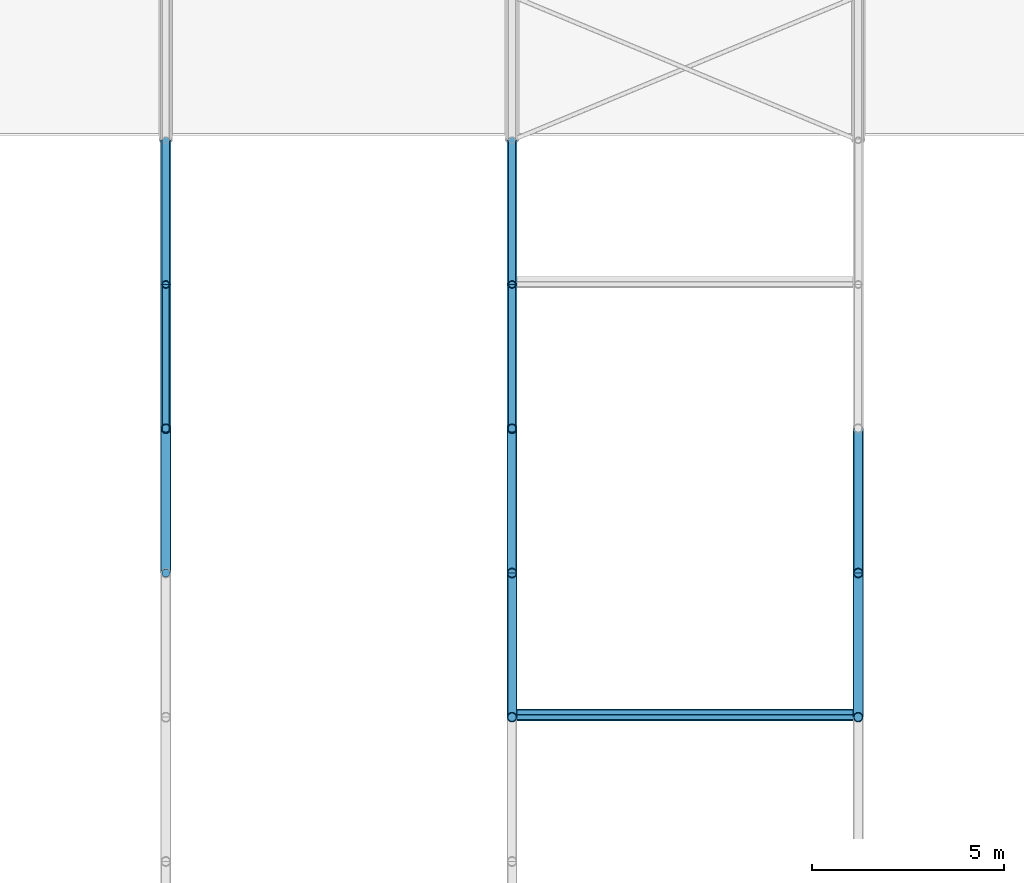
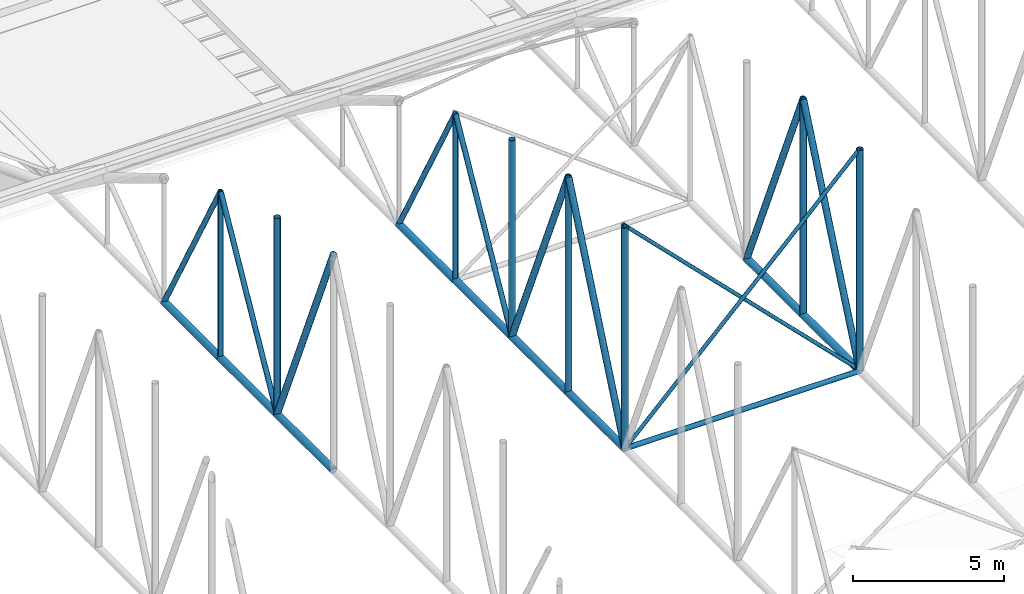
# One storey, part 55 of 153: 29 members.
"""IFC4 building model written with IfcOpenShell, lengths in metres."""

from ifc_helpers import new_model, si_unit, direction, frame, origin, origin_2d, place, context, subcontext, project, spatial, hollow_circle, extrude, material, material_profile, profile_set, type_object, element, save


model = new_model("IFC4")

# Units and contexts
model_context = context("Model", 3, precision=1e-05, world=origin(), true_north=direction((0.0, 1.0)))
body_context = subcontext(model_context, "Body", "Model", "MODEL_VIEW")
ifc_project = project(units=[si_unit("LENGTHUNIT", "METRE"), si_unit("AREAUNIT", "SQUARE_METRE"), si_unit("VOLUMEUNIT", "CUBIC_METRE"), si_unit("PLANEANGLEUNIT", "RADIAN"), si_unit("MASSUNIT", "GRAM", prefix="KILO")], contexts=[model_context])

# Site, building, storey
site_placement = place(None, origin())
site = spatial("IfcSite", under=ifc_project, at=site_placement, CompositionType="ELEMENT")
building_placement = place(site_placement, origin())
building = spatial("IfcBuilding", under=site, at=building_placement, Name="Baradari Gate Terminus", CompositionType="ELEMENT")
storey_placement = place(building_placement, frame((0.0, 0.0, 11.699951171875)))
storey = spatial("IfcBuildingStorey", under=building, at=storey_placement, Name="L02", CompositionType="ELEMENT", Elevation=11.699951171875)

# Members
ifc_material_1 = material(Name="Steel S355", Category="steel")
ifc_material_profile_1 = material_profile(ifc_material_1, hollow_circle(Radius=0.136474609375, WallThickness=0.012451171875, at=origin_2d()), Name="CHS 273x12.5")
ifc_profile_set_1 = profile_set([ifc_material_profile_1], Name="Steel S355")
member_type_1 = type_object("IfcMemberType", Name="Shed bottom chord CHS 273x12.5", PredefinedType="CHORD", material=ifc_profile_set_1)
for number, where, z_axis, x_axis, name in (
    (1, (171.0, 62.25, 0.136474609375), (0.0, 1.0, 0.0), (-1.0, 0.0, 0.0), "TR/L02/S171-BC07"),
    (2, (171.0, 66.0, 0.136474609375), (0.0, 1.0, 0.0), (-1.0, 0.0, 0.0), "TR/L02/S171-BC08"),
    (3, (171.0, 69.75, 0.136474609375), (0.0, 1.0, 0.0), (-1.0, 0.0, 0.0), "TR/L02/S171-BC09"),
    (4, (180.0, 58.5, 0.136474609375), (0.0, 1.0, 0.0), (-1.0, 0.0, 0.0), "TR/L02/S180-BC06"),
    (5, (180.0, 62.25, 0.136474609375), (0.0, 1.0, 0.0), (-1.0, 0.0, 0.0), "TR/L02/S180-BC07"),
    (6, (180.0, 66.0, 0.136474609375), (0.0, 1.0, 0.0), (-1.0, 0.0, 0.0), "TR/L02/S180-BC08"),
    (7, (180.0, 69.75, 0.136474609375), (0.0, 1.0, 0.0), (-1.0, 0.0, 0.0), "TR/L02/S180-BC09"),
    (8, (189.0, 58.5, 0.136474609375), (0.0, 1.0, 0.0), (-1.0, 0.0, 0.0), "TR/L02/S189-BC06"),
    (9, (189.0, 62.25, 0.136474609375), (0.0, 1.0, 0.0), (-1.0, 0.0, 0.0), "TR/L02/S189-BC07"),
):
    element("IfcMember", number, at=place(storey_placement, frame(where, z_axis=z_axis, x_axis=x_axis)), inside=storey, type_object=member_type_1, Name=name, PredefinedType="CHORD", context=body_context, shape_type="SweptSolid", body=[
        extrude(hollow_circle(Radius=0.136474609375, WallThickness=0.012451171875, at=origin_2d()), origin(), (0.0, 0.0, 1.0), 3.75),
    ])
ifc_material_2 = material(Name="Steel S355", Category="steel")
ifc_material_profile_2 = material_profile(ifc_material_2, hollow_circle(Radius=0.096923828125, WallThickness=0.008056640625, at=origin_2d()), Name="CHS 193.7x8")
ifc_profile_set_2 = profile_set([ifc_material_profile_2], Name="Steel S355")
member_type_2 = type_object("IfcMemberType", Name="Shed bottom strut CHS 193.7x8", PredefinedType="STRUT", material=ifc_profile_set_2)
member_1_placement = place(storey_placement, frame((180.0, 58.5, 0.136474609375), z_axis=(1.0, 0.0, 0.0), x_axis=(0.0, 1.0, 0.0)))
element("IfcMember", 10, at=member_1_placement, inside=storey, type_object=member_type_2, Name="TR/L02/B189-ST06", PredefinedType="STRUT", context=body_context, shape_type="SweptSolid", body=[
    extrude(hollow_circle(Radius=0.096923828125, WallThickness=0.008056640625, at=origin_2d()), origin(), (0.0, 0.0, 1.0), 9.0),
])
ifc_material_3 = material(Name="Steel S355", Category="steel")
ifc_material_profile_3 = material_profile(ifc_material_3, hollow_circle(Radius=0.096923828125, WallThickness=0.008056640625, at=origin_2d()), Name="CHS 193.7x8")
ifc_profile_set_3 = profile_set([ifc_material_profile_3], Name="Steel S355")
member_type_3 = type_object("IfcMemberType", Name="Shed truss diagonal CHS 193.7x8", PredefinedType="BRACE", material=ifc_profile_set_3)
for number, where, z_axis, x_axis, name in (
    (11, (171.0, 69.75, 6.886474609375), (0.0, -0.485642931179, -0.874157276122), (1.0, 0.0, 0.0), "TR/L02/S171-SD08"),
    (12, (171.0, 69.75, 6.886474609375), (0.0, 0.485642931179, -0.874157276122), (-1.0, 0.0, 0.0), "TR/L02/S171-SD09"),
    (13, (180.0, 69.75, 6.886474609375), (0.0, -0.485642931179, -0.874157276122), (1.0, 0.0, 0.0), "TR/L02/S180-SD08"),
    (14, (180.0, 69.75, 6.886474609375), (0.0, 0.485642931179, -0.874157276122), (-1.0, 0.0, 0.0), "TR/L02/S180-SD09"),
):
    element("IfcMember", number, at=place(storey_placement, frame(where, z_axis=z_axis, x_axis=x_axis)), inside=storey, type_object=member_type_3, Name=name, PredefinedType="BRACE", context=body_context, shape_type="SweptSolid", body=[
        extrude(hollow_circle(Radius=0.096923828125, WallThickness=0.008056640625, at=origin_2d()), origin(), (0.0, 0.0, 1.0), 7.7216796875),
    ])
ifc_material_4 = material(Name="Steel S355", Category="steel")
ifc_material_profile_4 = material_profile(ifc_material_4, hollow_circle(Radius=0.122314453125, WallThickness=0.010009765625, at=origin_2d()), Name="CHS 244.5x10")
ifc_profile_set_4 = profile_set([ifc_material_profile_4], Name="Steel S355")
member_type_4 = type_object("IfcMemberType", Name="Shed truss diagonal CHS 244.5x10", PredefinedType="BRACE", material=ifc_profile_set_4)
for number, where, z_axis, x_axis, name in (
    (15, (171.0, 62.25, 8.886474609375), (0.0, 0.393919298579, -0.919145030018), (-1.0, 0.0, 0.0), "TR/L02/S171-SD07"),
    (16, (180.0, 62.25, 8.886474609375), (0.0, -0.393919298579, -0.919145030018), (1.0, 0.0, 0.0), "TR/L02/S180-SD06"),
    (17, (180.0, 62.25, 8.886474609375), (0.0, 0.393919298579, -0.919145030018), (-1.0, 0.0, 0.0), "TR/L02/S180-SD07"),
    (18, (189.0, 62.25, 8.886474609375), (0.0, -0.393919298579, -0.919145030018), (1.0, 0.0, 0.0), "TR/L02/S189-SD06"),
    (19, (189.0, 62.25, 8.886474609375), (0.0, 0.393919298579, -0.919145030018), (-1.0, 0.0, 0.0), "TR/L02/S189-SD07"),
):
    element("IfcMember", number, at=place(storey_placement, frame(where, z_axis=z_axis, x_axis=x_axis)), inside=storey, type_object=member_type_4, Name=name, PredefinedType="BRACE", context=body_context, shape_type="SweptSolid", body=[
        extrude(hollow_circle(Radius=0.122314453125, WallThickness=0.010009765625, at=origin_2d()), origin(), (0.0, 0.0, 1.0), 9.519775390625),
    ])
ifc_material_5 = material(Name="Steel S355", Category="steel")
ifc_material_profile_5 = material_profile(ifc_material_5, hollow_circle(Radius=0.096923828125, WallThickness=0.008056640625, at=origin_2d()), Name="CHS 193.7x8")
ifc_profile_set_5 = profile_set([ifc_material_profile_5], Name="Steel S355")
member_type_5 = type_object("IfcMemberType", Name="Shed truss post CHS 193.7x8", PredefinedType="POST", material=ifc_profile_set_5)
for number, where, z_axis, x_axis, name in (
    (20, (171.0, 69.75, 0.136474609375), (0.0, 0.0, 1.0), (1.0, 0.0, 0.0), "TR/L02/S171-SP09"),
    (21, (180.0, 69.75, 0.136474609375), (0.0, 0.0, 1.0), (1.0, 0.0, 0.0), "TR/L02/S180-SP09"),
):
    element("IfcMember", number, at=place(storey_placement, frame(where, z_axis=z_axis, x_axis=x_axis)), inside=storey, type_object=member_type_5, Name=name, PredefinedType="POST", context=body_context, shape_type="SweptSolid", body=[
        extrude(hollow_circle(Radius=0.096923828125, WallThickness=0.008056640625, at=origin_2d()), origin(), (0.0, 0.0, 1.0), 6.75),
    ])
ifc_material_6 = material(Name="Steel S355", Category="steel")
ifc_material_profile_6 = material_profile(ifc_material_6, hollow_circle(Radius=0.122314453125, WallThickness=0.010009765625, at=origin_2d()), Name="CHS 244.5x10")
ifc_profile_set_6 = profile_set([ifc_material_profile_6], Name="Steel S355")
member_type_6 = type_object("IfcMemberType", Name="Shed truss post CHS 244.5x10", PredefinedType="POST", material=ifc_profile_set_6)
member_2_placement = place(storey_placement, frame((171.0, 66.0, 0.136474609375), z_axis=(0.0, 0.0, 1.0), x_axis=(1.0, 0.0, 0.0)))
element("IfcMember", 22, at=member_2_placement, inside=storey, type_object=member_type_6, Name="TR/L02/S171-SP08", PredefinedType="POST", context=body_context, shape_type="SweptSolid", body=[
    extrude(hollow_circle(Radius=0.122314453125, WallThickness=0.010009765625, at=origin_2d()), origin(), (0.0, 0.0, 1.0), 8.0),
])
member_3_placement = place(storey_placement, frame((180.0, 58.5, 0.136474609375), z_axis=(0.0, 0.0, 1.0), x_axis=(1.0, 0.0, 0.0)))
element("IfcMember", 23, at=member_3_placement, inside=storey, type_object=member_type_6, Name="TR/L02/S180-SP06", PredefinedType="POST", context=body_context, shape_type="SweptSolid", body=[
    extrude(hollow_circle(Radius=0.122314453125, WallThickness=0.010009765625, at=origin_2d()), origin(), (0.0, 0.0, 1.0), 9.0),
])
member_4_placement = place(storey_placement, frame((180.0, 62.25, 0.136474609375), z_axis=(0.0, 0.0, 1.0), x_axis=(1.0, 0.0, 0.0)))
element("IfcMember", 24, at=member_4_placement, inside=storey, type_object=member_type_6, Name="TR/L02/S180-SP07", PredefinedType="POST", context=body_context, shape_type="SweptSolid", body=[
    extrude(hollow_circle(Radius=0.122314453125, WallThickness=0.010009765625, at=origin_2d()), origin(), (0.0, 0.0, 1.0), 8.75),
])
member_5_placement = place(storey_placement, frame((180.0, 66.0, 0.136474609375), z_axis=(0.0, 0.0, 1.0), x_axis=(1.0, 0.0, 0.0)))
element("IfcMember", 25, at=member_5_placement, inside=storey, type_object=member_type_6, Name="TR/L02/S180-SP08", PredefinedType="POST", context=body_context, shape_type="SweptSolid", body=[
    extrude(hollow_circle(Radius=0.122314453125, WallThickness=0.010009765625, at=origin_2d()), origin(), (0.0, 0.0, 1.0), 8.0),
])
member_6_placement = place(storey_placement, frame((189.0, 58.5, 0.136474609375), z_axis=(0.0, 0.0, 1.0), x_axis=(1.0, 0.0, 0.0)))
element("IfcMember", 26, at=member_6_placement, inside=storey, type_object=member_type_6, Name="TR/L02/S189-SP06", PredefinedType="POST", context=body_context, shape_type="SweptSolid", body=[
    extrude(hollow_circle(Radius=0.122314453125, WallThickness=0.010009765625, at=origin_2d()), origin(), (0.0, 0.0, 1.0), 9.0),
])
member_7_placement = place(storey_placement, frame((189.0, 62.25, 0.136474609375), z_axis=(0.0, 0.0, 1.0), x_axis=(1.0, 0.0, 0.0)))
element("IfcMember", 27, at=member_7_placement, inside=storey, type_object=member_type_6, Name="TR/L02/S189-SP07", PredefinedType="POST", context=body_context, shape_type="SweptSolid", body=[
    extrude(hollow_circle(Radius=0.122314453125, WallThickness=0.010009765625, at=origin_2d()), origin(), (0.0, 0.0, 1.0), 8.75),
])
ifc_material_7 = material(Name="Steel S355", Category="steel")
ifc_material_profile_7 = material_profile(ifc_material_7, hollow_circle(Radius=0.06982421875, WallThickness=0.008056640625, at=origin_2d()), Name="CHS 139.7x8")
ifc_profile_set_7 = profile_set([ifc_material_profile_7], Name="Steel S355")
member_type_7 = type_object("IfcMemberType", Name="Shed vertical brace CHS 139.7x8", PredefinedType="BRACE", material=ifc_profile_set_7)
for number, where, z_axis, x_axis, name in (
    (28, (180.0, 58.5, 0.136474609375), (0.707106781187, 0.0, 0.707106781187), (0.0, 1.0, 0.0), "TR/L02/B189-VB06A"),
    (29, (180.0, 58.6396484375, 9.136474609375), (0.707106781187, 0.0, -0.707106781187), (0.0, 1.0, 0.0), "TR/L02/B189-VB06B"),
):
    element("IfcMember", number, at=place(storey_placement, frame(where, z_axis=z_axis, x_axis=x_axis)), inside=storey, type_object=member_type_7, Name=name, PredefinedType="BRACE", context=body_context, shape_type="SweptSolid", body=[
        extrude(hollow_circle(Radius=0.06982421875, WallThickness=0.008056640625, at=origin_2d()), origin(), (0.0, 0.0, 1.0), 12.72802734375),
    ])

save(model, "model.ifc")
